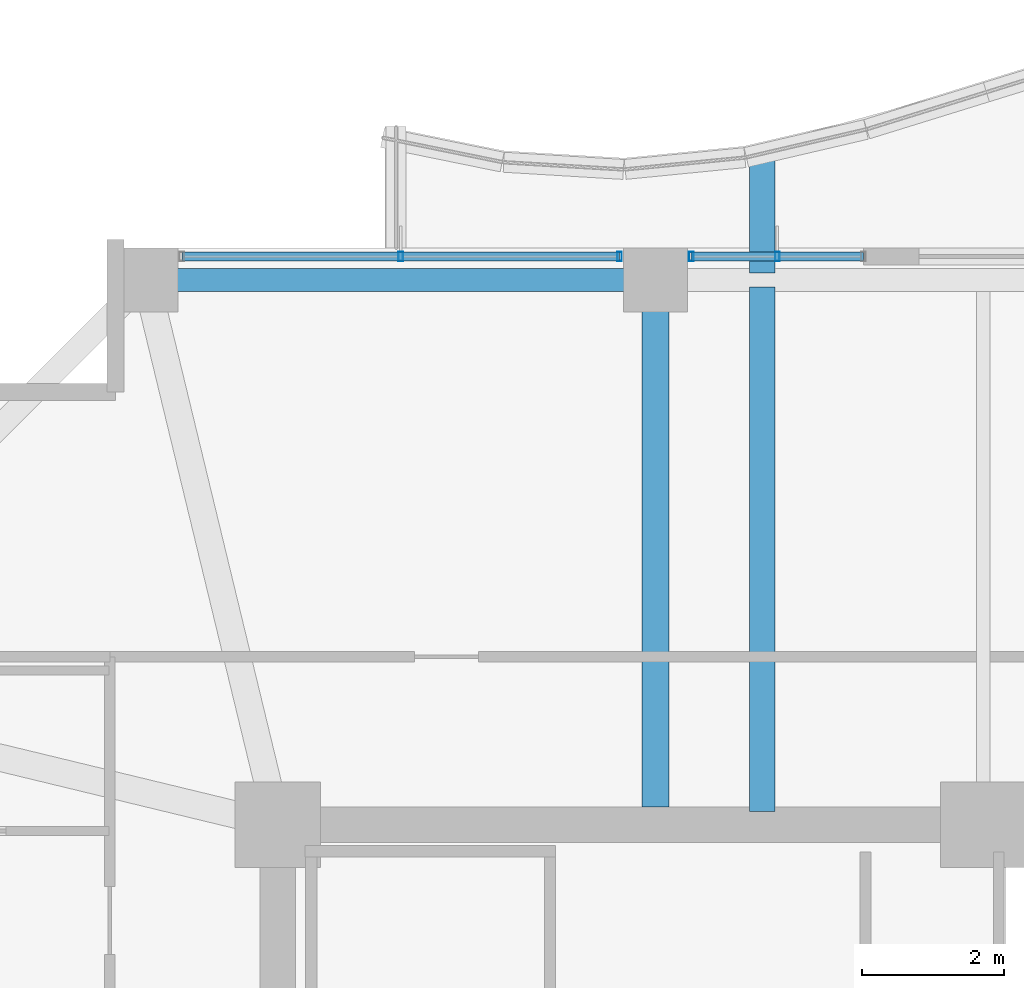
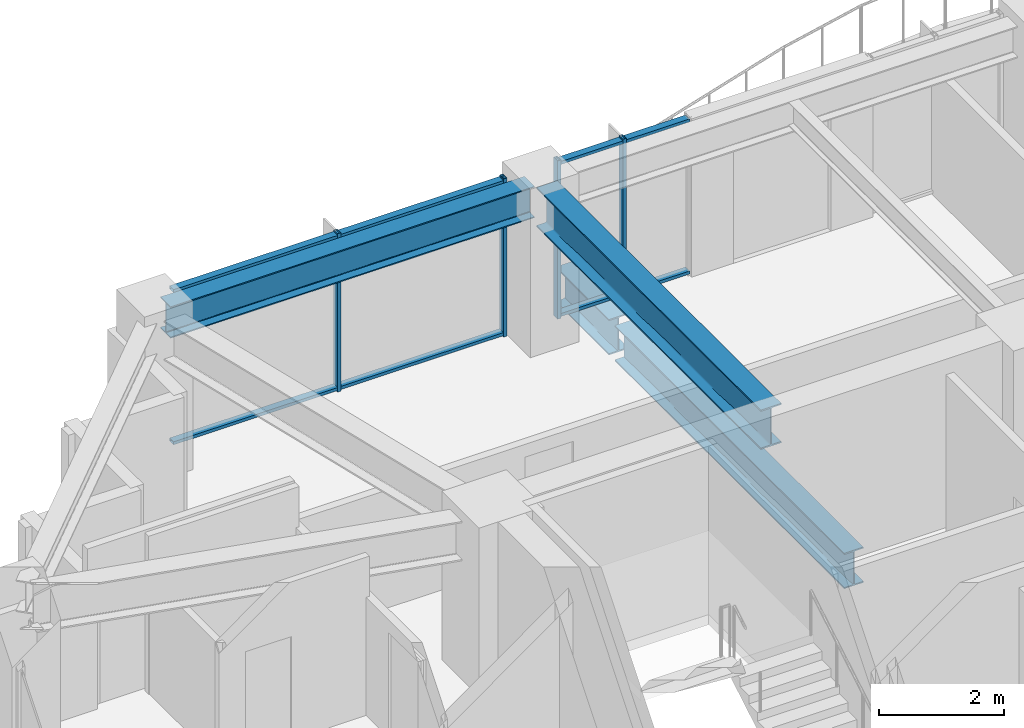
# One storey, part 17 of 31: 8 members, 4 beams, 2 elements without a shape of their own.
"""IFC4 building model written with IfcOpenShell, lengths in metres."""

import ifcopenshell
import ifcopenshell.guid

model = None  # the IFC model being written
_history = None  # IfcOwnerHistory: only IFC2X3 demands one
_inside = {}  # id of a spatial element -> (the spatial element, [elements in it])
_under = {}  # id of a project, library or spatial element -> (it, [spatial elements below it])
_declared = {}  # id of a project -> (the project, [libraries it declares])
_typed = {}  # id of a type object -> (the type object, [elements of that type])
_made_of = {}  # id of a material, layer set ... -> (it, [elements and type objects made of it])


def new_model(schema):
    """Start an empty IFC model of exactly this schema.

    Asked for "IFC4X3", IfcOpenShell would pick the latest addendum, in which some entities
    have other attributes; the version numbers below select the first issue.
    IFC2X3 requires an IfcOwnerHistory on every rooted entity: one is made here for all.
    """
    global model, _history
    if schema == "IFC4X3":
        model = ifcopenshell.file(schema_version=(4, 3, 0, 0))
    else:
        model = ifcopenshell.file(schema=schema)
    _inside.clear()
    _under.clear()
    _declared.clear()
    _typed.clear()
    _made_of.clear()
    _history = None
    if model.schema == "IFC2X3":
        org = make("IfcOrganization", Name="unknown")
        user = make(
            "IfcPersonAndOrganization",
            ThePerson=make("IfcPerson", FamilyName="unknown"),
            TheOrganization=org,
        )
        app = make(
            "IfcApplication",
            ApplicationDeveloper=org,
            Version="unknown",
            ApplicationFullName="unknown",
            ApplicationIdentifier="unknown",
        )
        _history = make(
            "IfcOwnerHistory",
            OwningUser=user,
            OwningApplication=app,
            ChangeAction="ADDED",
            CreationDate=0,
        )
    return model


def make(cls, **values):
    """One entity of the class cls with the attributes given. An attribute that is None is left unset."""
    return model.create_entity(
        cls, **{name: value for name, value in values.items() if value is not None}
    )


def rooted(cls, **values):
    """An entity with a GlobalId (a new one), such as an element, a storey or a relation."""
    return make(cls, GlobalId=ifcopenshell.guid.new(), OwnerHistory=_history, **values)


def si_unit(unit_type, name, prefix=None):
    """IfcSIUnit, for example si_unit("LENGTHUNIT", "METRE", prefix="MILLI")."""
    return make("IfcSIUnit", UnitType=unit_type, Prefix=prefix, Name=name)


def assignment(units):
    """IfcUnitAssignment: the units of a project."""
    return None if units is None else make("IfcUnitAssignment", Units=units)


def point(xyz):
    """IfcCartesianPoint."""
    return None if xyz is None else make("IfcCartesianPoint", Coordinates=xyz)


def direction(xyz):
    """IfcDirection."""
    return None if xyz is None else make("IfcDirection", DirectionRatios=xyz)


def frame(location, z_axis=None, x_axis=None):
    """IfcAxis2Placement3D, a coordinate frame: its origin and axes. An axis left out is left unset."""
    return make(
        "IfcAxis2Placement3D",
        Location=point(location),
        Axis=direction(z_axis),
        RefDirection=direction(x_axis),
    )


def frame_2d(location, x_axis=None):
    """IfcAxis2Placement2D, a coordinate frame in the plane: its origin and x axis."""
    return make(
        "IfcAxis2Placement2D", Location=point(location), RefDirection=direction(x_axis)
    )


def origin():
    """The frame at (0, 0, 0) with its axes left unset."""
    return frame((0.0, 0.0, 0.0))


def origin_2d():
    """The frame at (0, 0) in the plane with its x axis left unset."""
    return frame_2d((0.0, 0.0))


def place(relative_to, where):
    """IfcLocalPlacement: puts the frame where relative to a parent placement (None: the world)."""
    return make(
        "IfcLocalPlacement", PlacementRelTo=relative_to, RelativePlacement=where
    )


def context(
    kind, dimensions, precision=None, world=None, true_north=None, identifier=None
):
    """IfcGeometricRepresentationContext, for example the 3D "Model" context."""
    return make(
        "IfcGeometricRepresentationContext",
        ContextIdentifier=identifier,
        ContextType=kind,
        CoordinateSpaceDimension=dimensions,
        Precision=precision,
        WorldCoordinateSystem=world,
        TrueNorth=true_north,
    )


def subcontext(parent, identifier, kind, view, scale=None):
    """IfcGeometricRepresentationSubContext, for example "Body" below "Model"."""
    return make(
        "IfcGeometricRepresentationSubContext",
        ContextIdentifier=identifier,
        ContextType=kind,
        ParentContext=parent,
        TargetScale=scale,
        TargetView=view,
    )


def project(units=None, contexts=None):
    """IfcProject with its units and contexts."""
    return rooted(
        "IfcProject",
        Name="project",
        RepresentationContexts=contexts,
        UnitsInContext=assignment(units),
    )


def spatial(cls, under=None, at=None, **own):
    """A site, building, storey or space (cls), placed at a placement, below another one or the project."""
    s = rooted(cls, ObjectPlacement=at, **own)
    if under is not None:
        _under.setdefault(under.id(), (under, []))[1].append(s)
    return s


def profile(cls, at=None, kind="AREA", **sizes):
    """A parametric profile (cls). Its sizes go by their IFC names, for example OverallWidth=200.0."""
    return make(cls, ProfileType=kind, Position=at, **sizes)


def hollow_rectangle(**sizes):
    """IfcRectangleHollowProfileDef."""
    return profile("IfcRectangleHollowProfileDef", **sizes)


def i_section(**sizes):
    """IfcIShapeProfileDef."""
    return profile("IfcIShapeProfileDef", **sizes)


def extrude(swept, where, along, depth):
    """IfcExtrudedAreaSolid: the profile swept, set in the frame where, extruded along a direction by depth."""
    return make(
        "IfcExtrudedAreaSolid",
        SweptArea=swept,
        Position=where,
        ExtrudedDirection=direction(along),
        Depth=depth,
    )


def shape(context_of_items, identifier, shape_type, items):
    """IfcShapeRepresentation: the items that make up one representation, for example the "Body"."""
    return make(
        "IfcShapeRepresentation",
        ContextOfItems=context_of_items,
        RepresentationIdentifier=identifier,
        RepresentationType=shape_type,
        Items=items,
    )


def material(Name=None, Category=None):
    """IfcMaterial."""
    return make("IfcMaterial", Name=Name, Category=Category)


def material_profile(
    of_material, cross_section, Name=None, Category=None, Priority=None
):
    """IfcMaterialProfile: a cross section and its material."""
    return make(
        "IfcMaterialProfile",
        Name=Name,
        Material=of_material,
        Profile=cross_section,
        Priority=Priority,
        Category=Category,
    )


def profile_set(profiles, Name=None, composite=None):
    """IfcMaterialProfileSet."""
    return make(
        "IfcMaterialProfileSet",
        Name=Name,
        MaterialProfiles=profiles,
        CompositeProfile=composite,
    )


def made_of(thing, what):
    """Note that an element or type object is made of a material, layer set ...; save() writes the relation."""
    if what is not None:
        _made_of.setdefault(what.id(), (what, []))[1].append(thing)
    return thing


def type_object(cls, material=None, **own):
    """A type object (cls), such as IfcWallType, which elements share."""
    return made_of(rooted(cls, **own), material)


def element(
    cls,
    number,
    at=None,
    inside=None,
    cuts=None,
    type_object=None,
    material=None,
    context=None,
    identifier="Body",
    shape_type=None,
    held_by="IfcProductDefinitionShape",
    body=None,
    shapes=None,
    **own,
):
    """One element of the class cls, such as IfcWall. Its Tag is "e" and its number.

    at: its placement. inside: the storey or other place that contains it. cuts: it is an
    opening in that element (IfcRelVoidsElement). A single representation is given by context,
    identifier, shape_type and body (its items); several are given by shapes. held_by: the class
    of the entity that holds the representations. save() writes the other relations.
    """
    e = rooted(cls, Tag="e%d" % number, ObjectPlacement=at, **own)
    if body is not None:
        shapes = [shape(context, identifier, shape_type, body)]
    if shapes is not None:
        e.Representation = make(held_by, Representations=shapes)
    if inside is not None:
        _inside.setdefault(inside.id(), (inside, []))[1].append(e)
    if cuts is not None:
        rooted(
            "IfcRelVoidsElement", RelatingBuildingElement=cuts, RelatedOpeningElement=e
        )
    if type_object is not None:
        _typed.setdefault(type_object.id(), (type_object, []))[1].append(e)
    return made_of(e, material)


def aggregate(whole, parts):
    """IfcRelAggregates: a whole, such as a stair, and the parts it consists of."""
    return rooted("IfcRelAggregates", RelatingObject=whole, RelatedObjects=parts)


def save(model, path):
    """Write the relations noted so far, then the file.

    IfcRelAggregates (storeys below a building ...), IfcRelContainedInSpatialStructure (elements
    in a storey), IfcRelDefinesByType, IfcRelAssociatesMaterial and IfcRelDeclares: one each for
    every whole, place, type object, material and project.
    """
    for whole, parts in _under.values():
        aggregate(whole, parts)
    for where, things in _inside.values():
        rooted(
            "IfcRelContainedInSpatialStructure",
            RelatedElements=things,
            RelatingStructure=where,
        )
    for kind, things in _typed.values():
        rooted("IfcRelDefinesByType", RelatedObjects=things, RelatingType=kind)
    for what, things in _made_of.values():
        rooted("IfcRelAssociatesMaterial", RelatedObjects=things, RelatingMaterial=what)
    for by, libraries in _declared.values():
        rooted("IfcRelDeclares", RelatingContext=by, RelatedDefinitions=libraries)
    model.write(path)


model = new_model("IFC4")

# Units and contexts
model_context = context("Model", 3, precision=1e-05, world=origin(), true_north=direction((0.0, 1.0)))
body_context = subcontext(model_context, "Body", "Model", "MODEL_VIEW")
ifc_project = project(units=[si_unit("LENGTHUNIT", "METRE"), si_unit("AREAUNIT", "SQUARE_METRE"), si_unit("VOLUMEUNIT", "CUBIC_METRE"), si_unit("PLANEANGLEUNIT", "RADIAN"), si_unit("MASSUNIT", "GRAM", prefix="KILO")], contexts=[model_context])

# Site, building, storey
site_placement = place(None, origin())
site = spatial("IfcSite", under=ifc_project, at=site_placement, CompositionType="ELEMENT")
building_placement = place(site_placement, origin())
building = spatial("IfcBuilding", under=site, at=building_placement, Name="Kolvaren Belvedere", CompositionType="ELEMENT")
storey_placement = place(building_placement, frame((0.0, 0.0, 138.199951171875)))
storey = spatial("IfcBuildingStorey", under=building, at=storey_placement, Name="L40", CompositionType="ELEMENT", Elevation=138.199951171875)

# Beams
ifc_material_1 = material(Name="Structural steel ASTM A992 Grade 50", Category="steel")
ifc_material_profile_1 = material_profile(ifc_material_1, i_section(OverallWidth=0.35498046875, OverallDepth=0.696044921875, WebThickness=0.015380859375, FlangeThickness=0.02490234375, FilletRadius=0.02197265625, at=origin_2d()), Name="W27X146")
ifc_profile_set_1 = profile_set([ifc_material_profile_1], Name="Structural steel ASTM A992 Grade 50")
beam_type_1 = type_object("IfcBeamType", Name="BM-CANT-BAL", PredefinedType="BEAM", material=ifc_profile_set_1)
beam_1_placement = place(storey_placement, frame((-3.10009765625, 17.64501953125, -0.5478515625), z_axis=(0.0, 1.0, 0.0), x_axis=(-1.0, 0.0, 0.0)))
element("IfcBeam", 1, at=beam_1_placement, inside=storey, type_object=beam_type_1, Name="L40 Planted Balcony Cantilever BAL-N-1", PredefinedType="BEAM", context=body_context, shape_type="SweptSolid", body=[
    extrude(i_section(OverallWidth=0.35498046875, OverallDepth=0.696044921875, WebThickness=0.015380859375, FlangeThickness=0.02490234375, FilletRadius=0.02197265625, at=origin_2d()), origin(), (0.0, 0.0, 1.0), 1.70361328125),
])
ifc_material_2 = material(Name="Structural steel ASTM A992 Grade 50", Category="steel")
ifc_material_profile_2 = material_profile(ifc_material_2, i_section(OverallWidth=0.35498046875, OverallDepth=0.696044921875, WebThickness=0.015380859375, FlangeThickness=0.02490234375, FilletRadius=0.02197265625, at=origin_2d()), Name="W27X146")
ifc_profile_set_2 = profile_set([ifc_material_profile_2], Name="Structural steel ASTM A992 Grade 50")
beam_type_2 = type_object("IfcBeamType", Name="BM-GIRD-W27X146", PredefinedType="BEAM", material=ifc_profile_set_2)
beam_2_placement = place(storey_placement, frame((-3.10009765625, 10.090087890625, -0.5478515625), z_axis=(0.0, 1.0, 0.0), x_axis=(-1.0, 0.0, 0.0)))
element("IfcBeam", 2, at=beam_2_placement, inside=storey, type_object=beam_type_2, Name="L40 Balcony Interior Back-Span Girder BAL-N-1", PredefinedType="BEAM", context=body_context, shape_type="SweptSolid", body=[
    extrude(i_section(OverallWidth=0.35498046875, OverallDepth=0.696044921875, WebThickness=0.015380859375, FlangeThickness=0.02490234375, FilletRadius=0.02197265625, at=origin_2d()), origin(), (0.0, 0.0, 1.0), 7.364990234375),
])
ifc_material_3 = material(Name="Structural steel ASTM A992 Grade 50", Category="steel")
ifc_material_profile_3 = material_profile(ifc_material_3, i_section(OverallWidth=0.381103515625, OverallDepth=0.77294921875, WebThickness=0.0166015625, FlangeThickness=0.027099609375, FilletRadius=0.02392578125, at=origin_2d()), Name="W30X173")
ifc_profile_set_3 = profile_set([ifc_material_profile_3], Name="Structural steel ASTM A992 Grade 50")
beam_type_3 = type_object("IfcBeamType", Name="BM-GIRD-W30X173", PredefinedType="BEAM", material=ifc_profile_set_3)
beam_3_placement = place(storey_placement, frame((-4.60009765625, 10.14990234375, 2.713623046875), z_axis=(0.0, 1.0, 0.0), x_axis=(-1.0, 0.0, 0.0)))
element("IfcBeam", 3, at=beam_3_placement, inside=storey, type_object=beam_type_3, Name="L40 North Radial Girder M", PredefinedType="BEAM", context=body_context, shape_type="SweptSolid", body=[
    extrude(i_section(OverallWidth=0.381103515625, OverallDepth=0.77294921875, WebThickness=0.0166015625, FlangeThickness=0.027099609375, FilletRadius=0.02392578125, at=origin_2d()), origin(), (0.0, 0.0, 1.0), 7.197509765625),
])
ifc_material_4 = material(Name="Structural steel ASTM A992 Grade 50", Category="steel")
ifc_material_profile_4 = material_profile(ifc_material_4, i_section(OverallWidth=0.324951171875, OverallDepth=0.615966796875, WebThickness=0.013916015625, FlangeThickness=0.021484375, FilletRadius=0.02001953125, at=origin_2d()), Name="W24X117")
ifc_profile_set_4 = profile_set([ifc_material_profile_4], Name="Structural steel ASTM A992 Grade 50")
beam_type_4 = type_object("IfcBeamType", Name="BM-SPAN-W24X117", PredefinedType="SPANDREL", material=ifc_profile_set_4)
beam_4_placement = place(storey_placement, frame((-4.802490234375, 17.550048828125, 2.7919921875), z_axis=(-1.0, 0.0, 0.0), x_axis=(0.0, -1.0, 0.0)))
element("IfcBeam", 4, at=beam_4_placement, inside=storey, type_object=beam_type_4, Name="L40 Perimeter Spandrel N2-N1", PredefinedType="SPANDREL", context=body_context, shape_type="SweptSolid", body=[
    extrude(i_section(OverallWidth=0.324951171875, OverallDepth=0.615966796875, WebThickness=0.013916015625, FlangeThickness=0.021484375, FilletRadius=0.02001953125, at=origin_2d()), origin(), (0.0, 0.0, 1.0), 6.7451171875),
])

# Curtain wall, members
ifc_material_5 = material(Name="Anodised pale-metal aluminium AA 6063-T6", Category="aluminium")
curtain_wall_type = type_object("IfcCurtainWallType", Name="CW-Z3-WAIST", PredefinedType="NOTDEFINED", material=ifc_material_5)
curtain_wall_1_placement = place(storey_placement, origin())
curtain_wall_1 = element("IfcCurtainWall", 5, at=curtain_wall_1_placement, inside=storey, type_object=curtain_wall_type, Name="L40 Unitised Curtain Wall FCW-L40-N1-B1", PredefinedType="NOTDEFINED")
ifc_material_6 = material(Name="Anodised pale-metal aluminium AA 6063-T6", Category="aluminium")
ifc_material_profile_5 = material_profile(ifc_material_6, hollow_rectangle(XDim=0.06494140625, YDim=0.1298828125, WallThickness=0.00390625, at=origin_2d()), Name="ALU-MUL-130X65")
ifc_profile_set_5 = profile_set([ifc_material_profile_5], Name="Anodised pale-metal aluminium AA 6063-T6")
member_type_1 = type_object("IfcMemberType", Name="CW-MUL-130", PredefinedType="MULLION", material=ifc_profile_set_5)
member_1_placement = place(storey_placement, frame((-8.175048828125, 17.8798828125, 0.0), z_axis=(0.0, 0.0, 1.0), x_axis=(1.0, 0.0, 0.0)))
member_1 = element("IfcMember", 6, at=member_1_placement, type_object=member_type_1, Name="FCW-L40-N1-B1 Unitised Mullion 2", PredefinedType="MULLION", context=body_context, shape_type="SweptSolid", body=[
    extrude(hollow_rectangle(XDim=0.06494140625, YDim=0.1298828125, WallThickness=0.00390625, at=origin_2d()), origin(), (0.0, 0.0, 1.0), 3.10009765625),
])
member_2_placement = place(storey_placement, frame((-5.1025390625, 17.8798828125, 0.0), z_axis=(0.0, 0.0, 1.0), x_axis=(1.0, 0.0, 0.0)))
member_2 = element("IfcMember", 7, at=member_2_placement, type_object=member_type_1, Name="FCW-L40-N1-B1 Unitised Mullion 3", PredefinedType="MULLION", context=body_context, shape_type="SweptSolid", body=[
    extrude(hollow_rectangle(XDim=0.06494140625, YDim=0.1298828125, WallThickness=0.00390625, at=origin_2d()), origin(), (0.0, 0.0, 1.0), 3.10009765625),
])

curtain_wall_2_placement = place(storey_placement, origin())
curtain_wall_2 = element("IfcCurtainWall", 8, at=curtain_wall_2_placement, inside=storey, type_object=curtain_wall_type, Name="L40 Unitised Curtain Wall FCW-L40-N1-B2", PredefinedType="NOTDEFINED")
member_3_placement = place(storey_placement, frame((-4.097412109375, 17.8798828125, 0.0), z_axis=(0.0, 0.0, 1.0), x_axis=(1.0, 0.0, 0.0)))
member_3 = element("IfcMember", 9, at=member_3_placement, type_object=member_type_1, Name="FCW-L40-N1-B2 Unitised Mullion 1", PredefinedType="MULLION", context=body_context, shape_type="SweptSolid", body=[
    extrude(hollow_rectangle(XDim=0.06494140625, YDim=0.1298828125, WallThickness=0.00390625, at=origin_2d()), origin(), (0.0, 0.0, 1.0), 3.10009765625),
])
member_4_placement = place(storey_placement, frame((-2.888671875, 17.8798828125, 0.0), z_axis=(0.0, 0.0, 1.0), x_axis=(1.0, 0.0, 0.0)))
member_4 = element("IfcMember", 10, at=member_4_placement, type_object=member_type_1, Name="FCW-L40-N1-B2 Unitised Mullion 2", PredefinedType="MULLION", context=body_context, shape_type="SweptSolid", body=[
    extrude(hollow_rectangle(XDim=0.06494140625, YDim=0.1298828125, WallThickness=0.00390625, at=origin_2d()), origin(), (0.0, 0.0, 1.0), 3.10009765625),
])

# Member
ifc_material_7 = material(Name="Anodised pale-metal aluminium AA 6063-T6", Category="aluminium")
ifc_material_profile_6 = material_profile(ifc_material_7, hollow_rectangle(XDim=0.06005859375, YDim=0.1298828125, WallThickness=0.00390625, at=origin_2d()), Name="ALU-TRN-130X60")
ifc_profile_set_6 = profile_set([ifc_material_profile_6], Name="Anodised pale-metal aluminium AA 6063-T6")
member_type_2 = type_object("IfcMemberType", Name="CW-TRN-130", PredefinedType="USERDEFINED", material=ifc_profile_set_6)
member_5_placement = place(storey_placement, frame((-11.24755859375, 17.8798828125, 0.06005859375), z_axis=(1.0, 0.0, 0.0), x_axis=(0.0, 0.0, 1.0)))
member_5 = element("IfcMember", 11, at=member_5_placement, type_object=member_type_2, Name="FCW-L40-N1-B1 Sill Transom", ObjectType="TRANSOM", PredefinedType="USERDEFINED", context=body_context, shape_type="SweptSolid", body=[
    extrude(hollow_rectangle(XDim=0.06005859375, YDim=0.1298828125, WallThickness=0.00390625, at=origin_2d()), origin(), (0.0, 0.0, 1.0), 6.14501953125),
])

member_6_placement = place(storey_placement, frame((-11.24755859375, 17.8798828125, 3.0400390625), z_axis=(1.0, 0.0, 0.0), x_axis=(0.0, 0.0, 1.0)))
member_6 = element("IfcMember", 12, at=member_6_placement, type_object=member_type_2, Name="FCW-L40-N1-B1 Head Transom", ObjectType="TRANSOM", PredefinedType="USERDEFINED", context=body_context, shape_type="SweptSolid", body=[
    extrude(hollow_rectangle(XDim=0.06005859375, YDim=0.1298828125, WallThickness=0.00390625, at=origin_2d()), origin(), (0.0, 0.0, 1.0), 6.14501953125),
])

aggregate(curtain_wall_1, [member_1, member_2, member_5, member_6])

member_7_placement = place(storey_placement, frame((-4.097412109375, 17.8798828125, 0.06005859375), z_axis=(1.0, 0.0, 0.0), x_axis=(0.0, 0.0, 1.0)))
member_7 = element("IfcMember", 13, at=member_7_placement, type_object=member_type_2, Name="FCW-L40-N1-B2 Sill Transom", ObjectType="TRANSOM", PredefinedType="USERDEFINED", context=body_context, shape_type="SweptSolid", body=[
    extrude(hollow_rectangle(XDim=0.06005859375, YDim=0.1298828125, WallThickness=0.00390625, at=origin_2d()), origin(), (0.0, 0.0, 1.0), 2.41748046875),
])

member_8_placement = place(storey_placement, frame((-4.097412109375, 17.8798828125, 3.0400390625), z_axis=(1.0, 0.0, 0.0), x_axis=(0.0, 0.0, 1.0)))
member_8 = element("IfcMember", 14, at=member_8_placement, type_object=member_type_2, Name="FCW-L40-N1-B2 Head Transom", ObjectType="TRANSOM", PredefinedType="USERDEFINED", context=body_context, shape_type="SweptSolid", body=[
    extrude(hollow_rectangle(XDim=0.06005859375, YDim=0.1298828125, WallThickness=0.00390625, at=origin_2d()), origin(), (0.0, 0.0, 1.0), 2.41748046875),
])

aggregate(curtain_wall_2, [member_3, member_4, member_7, member_8])

save(model, "model.ifc")
